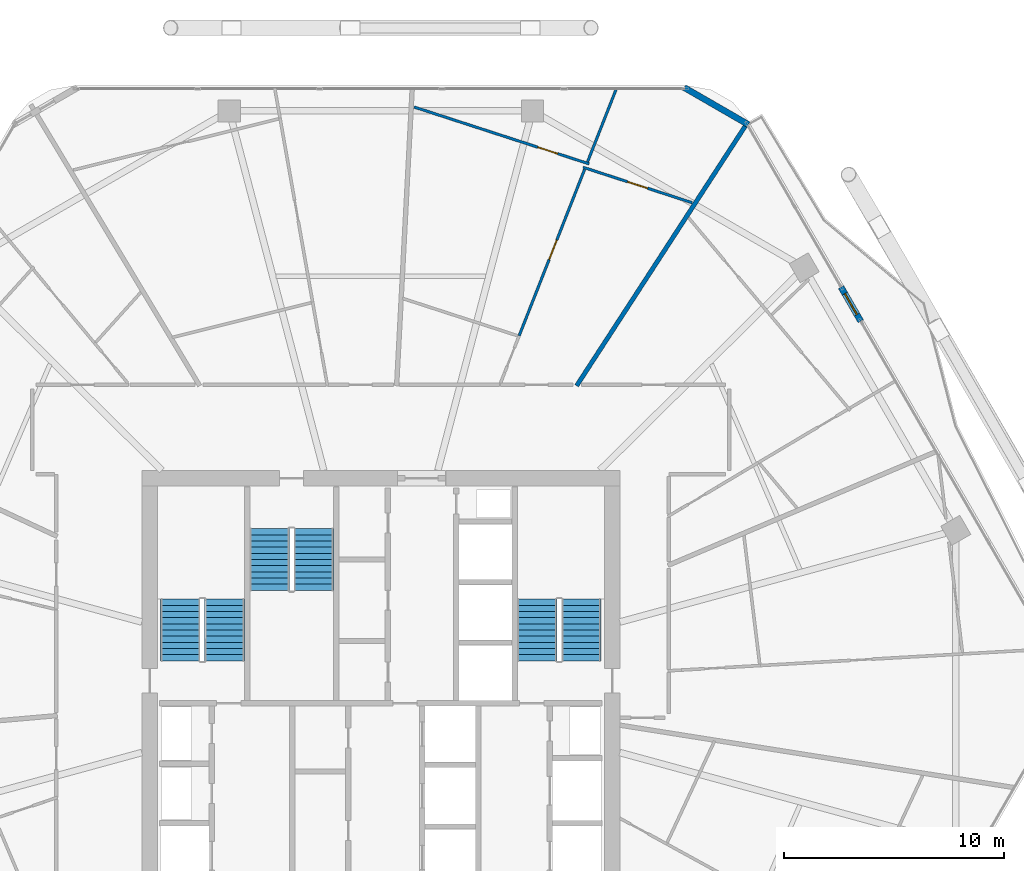
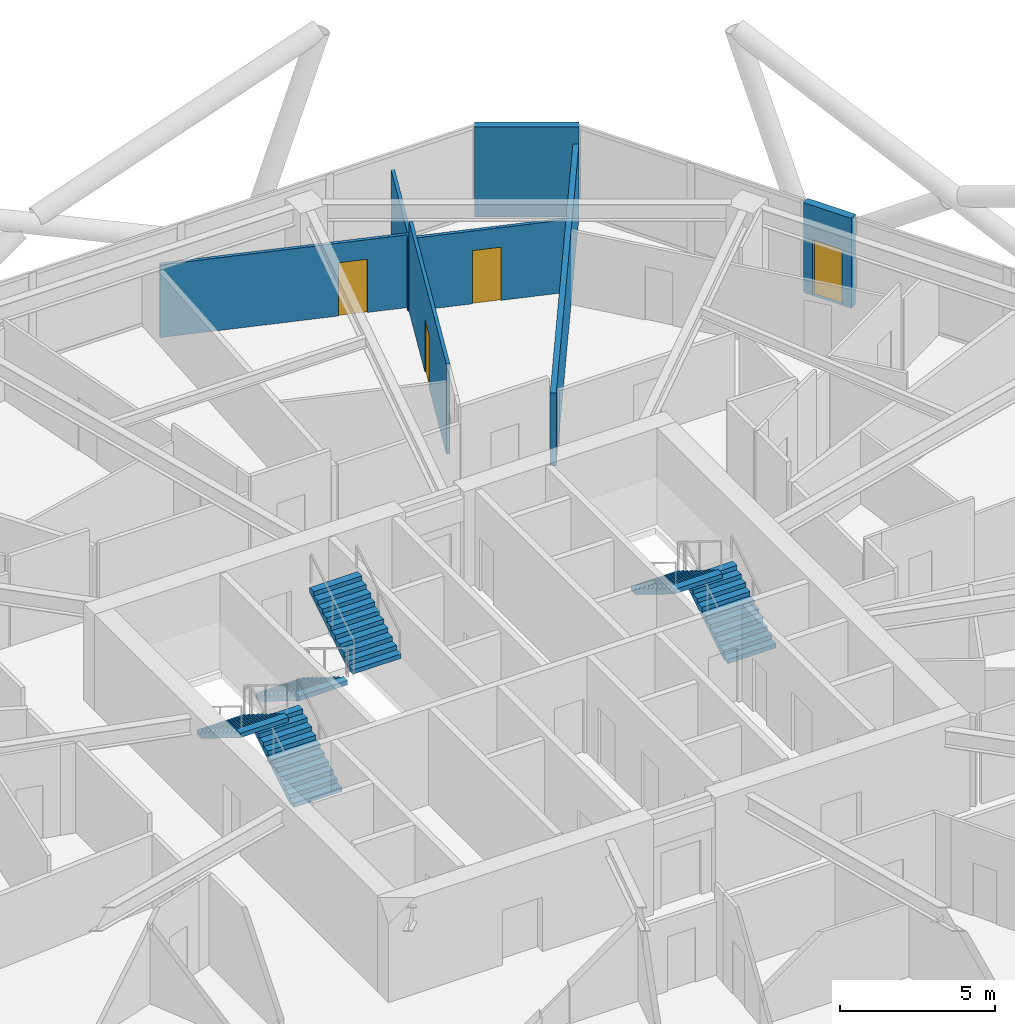
# One storey, part 25 of 28: 7 walls, 6 stair flights, 4 doors, 4 openings, 3 elements without a shape of their own.
"""IFC4 building model written with IfcOpenShell, lengths in metres."""

from ifc_helpers import new_model, si_unit, direction, frame, frame_2d, origin, place, context, subcontext, project, spatial, polyline, rectangle, outline, extrude, material, layer, layer_set, type_object, element, fill, aggregate, save


model = new_model("IFC4")

# Units and contexts
model_context = context("Model", 3, precision=1e-05, world=origin(), true_north=direction((0.0, 1.0)))
body_context = subcontext(model_context, "Body", "Model", "MODEL_VIEW")
ifc_project = project(units=[si_unit("LENGTHUNIT", "METRE"), si_unit("AREAUNIT", "SQUARE_METRE"), si_unit("VOLUMEUNIT", "CUBIC_METRE"), si_unit("PLANEANGLEUNIT", "RADIAN"), si_unit("MASSUNIT", "GRAM", prefix="KILO")], contexts=[model_context])

# Site, building, storey
site_placement = place(None, origin())
site = spatial("IfcSite", under=ifc_project, at=site_placement, CompositionType="ELEMENT")
building_placement = place(site_placement, origin())
building = spatial("IfcBuilding", under=site, at=building_placement, Name="Zuhravey Tower", CompositionType="ELEMENT")
storey_placement = place(building_placement, frame((0.0, 0.0, 169.39990234375)))
storey = spatial("IfcBuildingStorey", under=building, at=storey_placement, Name="L42", CompositionType="ELEMENT", Elevation=169.39990234375)

# Wall
ifc_material_1 = material(Name="Precast concrete C40/50", Category="concrete")
ifc_layer_1 = layer(ifc_material_1, 0.280029296875)
ifc_layer_set_1 = layer_set([ifc_layer_1], Name="Precast concrete C40/50")
wall_type_1 = type_object("IfcWallType", Name="Crown Architectural Wall 280", PredefinedType="SOLIDWALL", material=ifc_layer_set_1)
wall_1_placement = place(storey_placement, frame((49.77880859375, 59.230712890625, 0.0), z_axis=(0.0, 0.0, 1.0), x_axis=(0.866020068361, -0.500009241111, 0.0)))
element("IfcWall", 1, at=wall_1_placement, inside=storey, type_object=wall_type_1, Name="L42 Rounded Corner Closure Wall EW28-10", PredefinedType="SOLIDWALL", context=body_context, shape_type="SweptSolid", body=[
    extrude(rectangle(XDim=3.365234375, YDim=0.280029296875, at=frame_2d((1.6826171875, 0.0))), origin(), (0.0, 0.0, 1.0), 3.550048828125),
])

# Wall, opening, door
wall_2_placement = place(storey_placement, frame((56.8974609375, 50.1708984375, 0.0), z_axis=(0.0, 0.0, 1.0), x_axis=(0.499982180423, -0.866035691677, 0.0)))
wall_2 = element("IfcWall", 2, at=wall_2_placement, inside=storey, type_object=wall_type_1, Name="L42 Face 1 Facade Pier EW28-1", PredefinedType="SOLIDWALL", context=body_context, shape_type="SweptSolid", body=[
    extrude(rectangle(XDim=1.7900390625, YDim=0.280029296875, at=frame_2d((0.89501953125, 0.0))), origin(), (0.0, 0.0, 1.0), 3.550048828125),
])
opening_1_placement = place(wall_2_placement, frame((0.344970703125, 0.0, 0.0)))
opening_1 = element("IfcOpeningElement", 3, at=opening_1_placement, cuts=wall_2, Name="Opening BLD1", PredefinedType="OPENING", context=body_context, shape_type="SweptSolid", body=[
    extrude(rectangle(XDim=1.10009765625, YDim=2.199951171875, at=frame_2d((0.550048828125, 1.10009765625))), frame((0.0, 0.152099609375, 0.0), z_axis=(0.0, -1.0, 0.0), x_axis=(1.0, 0.0, 0.0)), (0.0, 0.0, 1.0), 0.303955078125),
])
ifc_material_2 = material(Name="Thermally broken aluminium and low-E glass", Category="aluminium")
door_type_1 = type_object("IfcDoorType", Name="Balcony & Sky-Tray Glazed Door 1100x2200", OperationType="NOTDEFINED", PredefinedType="DOOR", material=ifc_material_2)
door_1_placement = place(opening_1_placement, frame((1.10009765625, 0.0, 0.0), z_axis=(0.0, 0.0, 1.0), x_axis=(-1.0, 0.0, 0.0)))
door_1 = element("IfcDoor", 4, at=door_1_placement, inside=storey, type_object=door_type_1, Name="L42 Face 1 Wave Balcony Door", OperationType="SINGLE_SWING_RIGHT", OverallHeight=2.199951171875, OverallWidth=1.10009765625, PredefinedType="DOOR", context=body_context, shape_type="SweptSolid", body=[
    extrude(rectangle(XDim=1.10009765625, YDim=2.199951171875, at=frame_2d((0.550048828125, 1.10009765625))), frame((0.0, 0.02490234375, 0.0), z_axis=(0.0, -1.0, 0.0), x_axis=(1.0, 0.0, 0.0)), (0.0, 0.0, 1.0), 0.050048828125),
])
fill(opening_1, door_1)

# Wall
ifc_material_3 = material(Name="Gypsum double-stud party assembly")
ifc_layer_2 = layer(ifc_material_3, 0.199951171875)
ifc_layer_set_2 = layer_set([ifc_layer_2], Name="Gypsum double-stud party assembly")
wall_type_2 = type_object("IfcWallType", Name="Inter-Tenancy Party Wall 200", PredefinedType="PARTITIONING", material=ifc_layer_set_2)
wall_3_placement = place(storey_placement, frame((44.890380859375, 45.68994140625, 0.0), z_axis=(0.0, 0.0, 1.0), x_axis=(0.544635001308, 0.838673187452, 0.0)))
element("IfcWall", 5, at=wall_3_placement, inside=storey, type_object=wall_type_2, Name="L42 IW20 Partition 081", PredefinedType="PARTITIONING", context=body_context, shape_type="SweptSolid", body=[
    extrude(rectangle(XDim=14.184814453125, YDim=0.199951171875, at=frame_2d((7.09228515625, 0.0))), origin(), (0.0, 0.0, 1.0), 2.8701171875),
])

# Wall, opening, door
ifc_material_4 = material(Name="Gypsum metal-stud partition")
ifc_layer_3 = layer(ifc_material_4, 0.1201171875)
ifc_layer_set_3 = layer_set([ifc_layer_3], Name="Gypsum metal-stud partition")
wall_type_3 = type_object("IfcWallType", Name="Unit Internal Partition 120", PredefinedType="PARTITIONING", material=ifc_layer_set_3)
wall_4_placement = place(storey_placement, frame((50.135498046875, 54.001953125, 0.0), z_axis=(0.0, 0.0, 1.0), x_axis=(-0.951047506312, 0.309044722876, 0.0)))
wall_4 = element("IfcWall", 6, at=wall_4_placement, inside=storey, type_object=wall_type_3, Name="L42 IW12 Partition 024", PredefinedType="PARTITIONING", context=body_context, shape_type="SweptSolid", body=[
    extrude(rectangle(XDim=5.206787109375, YDim=0.1201171875, at=frame_2d((2.603515625, 0.0))), origin(), (0.0, 0.0, 1.0), 2.8701171875),
])
opening_2_placement = place(wall_4_placement, frame((2.12841796875, 0.0, 0.0)))
opening_2 = element("IfcOpeningElement", 7, at=opening_2_placement, cuts=wall_4, Name="Opening IND1", PredefinedType="OPENING", context=body_context, shape_type="SweptSolid", body=[
    extrude(rectangle(XDim=0.949951171875, YDim=2.10009765625, at=frame_2d((0.47509765625, 1.050048828125))), frame((0.0, 0.072021484375, 0.0), z_axis=(0.0, -1.0, 0.0), x_axis=(1.0, 0.0, 0.0)), (0.0, 0.0, 1.0), 0.14404296875),
])
ifc_material_5 = material(Name="Painted engineered timber leaf", Category="wood")
door_type_2 = type_object("IfcDoorType", Name="Internal Room & Bedroom Door 950x2100", OperationType="NOTDEFINED", PredefinedType="DOOR", material=ifc_material_5)
door_2_placement = place(opening_2_placement, frame((0.949951171875, 0.0, 0.0), z_axis=(0.0, 0.0, 1.0), x_axis=(-1.0, 0.0, 0.0)))
door_2 = element("IfcDoor", 8, at=door_2_placement, inside=storey, type_object=door_type_2, Name="Apartment L42-02 Family Study Door", OperationType="SINGLE_SWING_RIGHT", OverallHeight=2.10009765625, OverallWidth=0.949951171875, PredefinedType="DOOR", context=body_context, shape_type="SweptSolid", body=[
    extrude(rectangle(XDim=0.949951171875, YDim=2.10009765625, at=frame_2d((0.47509765625, 1.050048828125))), frame((0.0, 0.02490234375, 0.0), z_axis=(0.0, -1.0, 0.0), x_axis=(1.0, 0.0, 0.0)), (0.0, 0.0, 1.0), 0.050048828125),
])
fill(opening_2, door_2)

wall_5_placement = place(storey_placement, frame((42.281982421875, 47.96435546875, 0.0), z_axis=(0.0, 0.0, 1.0), x_axis=(0.366182812117, 0.930542931901, 0.0)))
wall_5 = element("IfcWall", 9, at=wall_5_placement, inside=storey, type_object=wall_type_3, Name="L42 IW12 Partition 026", PredefinedType="PARTITIONING", context=body_context, shape_type="SweptSolid", body=[
    extrude(rectangle(XDim=8.115966796875, YDim=0.1201171875, at=frame_2d((4.05810546875, 0.0))), origin(), (0.0, 0.0, 1.0), 3.550048828125),
])
opening_3_placement = place(wall_5_placement, frame((3.720703125, 0.0, 0.0)))
opening_3 = element("IfcOpeningElement", 10, at=opening_3_placement, cuts=wall_5, Name="Opening IND1", PredefinedType="OPENING", context=body_context, shape_type="SweptSolid", body=[
    extrude(rectangle(XDim=0.949951171875, YDim=2.10009765625, at=frame_2d((0.47509765625, 1.050048828125))), frame((0.0, 0.072021484375, 0.0), z_axis=(0.0, -1.0, 0.0), x_axis=(1.0, 0.0, 0.0)), (0.0, 0.0, 1.0), 0.14404296875),
])
door_3_placement = place(opening_3_placement, origin())
door_3 = element("IfcDoor", 11, at=door_3_placement, inside=storey, type_object=door_type_2, Name="Apartment L42-02 Home Office Door", OperationType="SINGLE_SWING_RIGHT", OverallHeight=2.10009765625, OverallWidth=0.949951171875, PredefinedType="DOOR", context=body_context, shape_type="SweptSolid", body=[
    extrude(rectangle(XDim=0.949951171875, YDim=2.10009765625, at=frame_2d((0.47509765625, 1.050048828125))), frame((0.0, 0.02490234375, 0.0), z_axis=(0.0, -1.0, 0.0), x_axis=(1.0, 0.0, 0.0)), (0.0, 0.0, 1.0), 0.050048828125),
])
fill(opening_3, door_3)

wall_6_placement = place(storey_placement, frame((45.45947265625, 55.765625, 0.0), z_axis=(0.0, 0.0, 1.0), x_axis=(-0.9510658366, 0.308988307953, 0.0)))
wall_6 = element("IfcWall", 12, at=wall_6_placement, inside=storey, type_object=wall_type_3, Name="L42 IW12 Partition 027", PredefinedType="PARTITIONING", context=body_context, shape_type="SweptSolid", body=[
    extrude(rectangle(XDim=8.357177734375, YDim=0.1201171875, at=frame_2d((4.1787109375, 0.0))), origin(), (0.0, 0.0, 1.0), 2.8701171875),
])
opening_4_placement = place(wall_6_placement, frame((1.50341796875, 0.0, 0.0)))
opening_4 = element("IfcOpeningElement", 13, at=opening_4_placement, cuts=wall_6, Name="Opening IND1", PredefinedType="OPENING", context=body_context, shape_type="SweptSolid", body=[
    extrude(rectangle(XDim=0.949951171875, YDim=2.10009765625, at=frame_2d((0.47509765625, 1.050048828125))), frame((0.0, 0.072021484375, 0.0), z_axis=(0.0, -1.0, 0.0), x_axis=(1.0, 0.0, 0.0)), (0.0, 0.0, 1.0), 0.14404296875),
])
door_4_placement = place(opening_4_placement, frame((0.949951171875, 0.0, 0.0), z_axis=(0.0, 0.0, 1.0), x_axis=(-1.0, 0.0, 0.0)))
door_4 = element("IfcDoor", 14, at=door_4_placement, inside=storey, type_object=door_type_2, Name="Apartment L42-02 Kitchen Door", OperationType="SINGLE_SWING_LEFT", OverallHeight=2.10009765625, OverallWidth=0.949951171875, PredefinedType="DOOR", context=body_context, shape_type="SweptSolid", body=[
    extrude(rectangle(XDim=0.949951171875, YDim=2.10009765625, at=frame_2d((0.47509765625, 1.050048828125))), frame((0.0, 0.02490234375, 0.0), z_axis=(0.0, -1.0, 0.0), x_axis=(1.0, 0.0, 0.0)), (0.0, 0.0, 1.0), 0.050048828125),
])
fill(opening_4, door_4)

# Wall
wall_7_placement = place(storey_placement, frame((45.388916015625, 55.860107421875, 0.0), z_axis=(0.0, 0.0, 1.0), x_axis=(0.366227083172, 0.93052550935, 0.0)))
element("IfcWall", 15, at=wall_7_placement, inside=storey, type_object=wall_type_3, Name="L42 IW12 Partition 083", PredefinedType="PARTITIONING", context=body_context, shape_type="SweptSolid", body=[
    extrude(rectangle(XDim=3.574462890625, YDim=0.1201171875, at=frame_2d((1.787109375, 0.0))), origin(), (0.0, 0.0, 1.0), 2.8701171875),
])

# Stair, stair flights
ifc_material_6 = material(Name="Concrete C40/50", Category="concrete")
stair_type = type_object("IfcStairType", Name="Housing Storey Stair Assembly 3800", PredefinedType="HALF_TURN_STAIR", material=ifc_material_6)
stair_1_placement = place(storey_placement, origin())
stair_1 = element("IfcStair", 16, at=stair_1_placement, inside=storey, type_object=stair_type, Name="L42 Core Exit Stair ST1", PredefinedType="HALF_TURN_STAIR")
stair_flight_type = type_object("IfcStairFlightType", Name="Housing Storey Stair Flight 3800", PredefinedType="STRAIGHT", material=ifc_material_6)
stair_flight_1_placement = place(storey_placement, frame((28.89990234375, 33.199951171875, 0.0), z_axis=(0.0, 0.0, 1.0), x_axis=(0.0, 1.0, 0.0)))
stair_flight_1 = element("IfcStairFlight", 17, at=stair_flight_1_placement, type_object=stair_flight_type, Name="ST1 flight 1", NumberOfRisers=11, NumberOfTreads=10, PredefinedType="STRAIGHT", RiserHeight=0.172727273, TreadLength=0.28, context=body_context, shape_type="SweptSolid", body=[
    extrude(outline(polyline([(0.0, 0.0), (0.0, 0.172607421875), (0.280029296875, 0.172607421875), (0.280029296875, 0.345458984375), (0.56005859375, 0.345458984375), (0.56005859375, 0.51806640625), (0.840087890625, 0.51806640625), (0.840087890625, 0.69091796875), (1.1201171875, 0.69091796875), (1.1201171875, 0.863525390625), (1.39990234375, 0.863525390625), (1.39990234375, 1.036376953125), (1.679931640625, 1.036376953125), (1.679931640625, 1.208984375), (1.9599609375, 1.208984375), (1.9599609375, 1.3818359375), (2.239990234375, 1.3818359375), (2.239990234375, 1.554443359375), (2.52001953125, 1.554443359375), (2.52001953125, 1.727294921875), (2.800048828125, 1.727294921875), (2.800048828125, 1.89990234375), (2.800048828125, 1.551025390625), (0.285400390625, 0.0), (0.0, 0.0)])), frame((0.0, 0.89990234375, 0.0), z_axis=(0.0, -1.0, 0.0), x_axis=(1.0, 0.0, 0.0)), (0.0, 0.0, 1.0), 1.800048828125),
])
stair_flight_2_placement = place(storey_placement, frame((26.89990234375, 36.0, 1.900146484375), z_axis=(0.0, 0.0, 1.0), x_axis=(0.0, -1.0, 0.0)))
stair_flight_2 = element("IfcStairFlight", 18, at=stair_flight_2_placement, type_object=stair_flight_type, Name="ST1 flight 2", NumberOfRisers=11, NumberOfTreads=10, PredefinedType="STRAIGHT", RiserHeight=0.172727273, TreadLength=0.28, context=body_context, shape_type="SweptSolid", body=[
    extrude(outline(polyline([(0.0, 0.0), (0.0, 0.172607421875), (0.280029296875, 0.172607421875), (0.280029296875, 0.345458984375), (0.56005859375, 0.345458984375), (0.56005859375, 0.51806640625), (0.840087890625, 0.51806640625), (0.840087890625, 0.69091796875), (1.1201171875, 0.69091796875), (1.1201171875, 0.863525390625), (1.39990234375, 0.863525390625), (1.39990234375, 1.036376953125), (1.679931640625, 1.036376953125), (1.679931640625, 1.208984375), (1.9599609375, 1.208984375), (1.9599609375, 1.3818359375), (2.239990234375, 1.3818359375), (2.239990234375, 1.554443359375), (2.52001953125, 1.554443359375), (2.52001953125, 1.727294921875), (2.800048828125, 1.727294921875), (2.800048828125, 1.89990234375), (2.800048828125, 1.551025390625), (0.285400390625, 0.0), (0.0, 0.0)])), frame((0.0, 0.89990234375, 0.0), z_axis=(0.0, -1.0, 0.0), x_axis=(1.0, 0.0, 0.0)), (0.0, 0.0, 1.0), 1.800048828125),
])
aggregate(stair_1, [stair_flight_1, stair_flight_2])

stair_2_placement = place(storey_placement, origin())
stair_2 = element("IfcStair", 19, at=stair_2_placement, inside=storey, type_object=stair_type, Name="L42 Core Exit Stair ST2", PredefinedType="HALF_TURN_STAIR")
stair_flight_3_placement = place(storey_placement, frame((45.10009765625, 33.199951171875, 0.0), z_axis=(0.0, 0.0, 1.0), x_axis=(0.0, 1.0, 0.0)))
stair_flight_3 = element("IfcStairFlight", 20, at=stair_flight_3_placement, type_object=stair_flight_type, Name="ST2 flight 1", NumberOfRisers=11, NumberOfTreads=10, PredefinedType="STRAIGHT", RiserHeight=0.172727273, TreadLength=0.28, context=body_context, shape_type="SweptSolid", body=[
    extrude(outline(polyline([(0.0, 0.0), (0.0, 0.172607421875), (0.280029296875, 0.172607421875), (0.280029296875, 0.345458984375), (0.56005859375, 0.345458984375), (0.56005859375, 0.51806640625), (0.840087890625, 0.51806640625), (0.840087890625, 0.69091796875), (1.1201171875, 0.69091796875), (1.1201171875, 0.863525390625), (1.39990234375, 0.863525390625), (1.39990234375, 1.036376953125), (1.679931640625, 1.036376953125), (1.679931640625, 1.208984375), (1.9599609375, 1.208984375), (1.9599609375, 1.3818359375), (2.239990234375, 1.3818359375), (2.239990234375, 1.554443359375), (2.52001953125, 1.554443359375), (2.52001953125, 1.727294921875), (2.800048828125, 1.727294921875), (2.800048828125, 1.89990234375), (2.800048828125, 1.551025390625), (0.285400390625, 0.0), (0.0, 0.0)])), frame((0.0, 0.89990234375, 0.0), z_axis=(0.0, -1.0, 0.0), x_axis=(1.0, 0.0, 0.0)), (0.0, 0.0, 1.0), 1.800048828125),
])
stair_flight_4_placement = place(storey_placement, frame((43.10009765625, 36.0, 1.900146484375), z_axis=(0.0, 0.0, 1.0), x_axis=(0.0, -1.0, 0.0)))
stair_flight_4 = element("IfcStairFlight", 21, at=stair_flight_4_placement, type_object=stair_flight_type, Name="ST2 flight 2", NumberOfRisers=11, NumberOfTreads=10, PredefinedType="STRAIGHT", RiserHeight=0.172727273, TreadLength=0.28, context=body_context, shape_type="SweptSolid", body=[
    extrude(outline(polyline([(0.0, 0.0), (0.0, 0.172607421875), (0.280029296875, 0.172607421875), (0.280029296875, 0.345458984375), (0.56005859375, 0.345458984375), (0.56005859375, 0.51806640625), (0.840087890625, 0.51806640625), (0.840087890625, 0.69091796875), (1.1201171875, 0.69091796875), (1.1201171875, 0.863525390625), (1.39990234375, 0.863525390625), (1.39990234375, 1.036376953125), (1.679931640625, 1.036376953125), (1.679931640625, 1.208984375), (1.9599609375, 1.208984375), (1.9599609375, 1.3818359375), (2.239990234375, 1.3818359375), (2.239990234375, 1.554443359375), (2.52001953125, 1.554443359375), (2.52001953125, 1.727294921875), (2.800048828125, 1.727294921875), (2.800048828125, 1.89990234375), (2.800048828125, 1.551025390625), (0.285400390625, 0.0), (0.0, 0.0)])), frame((0.0, 0.89990234375, 0.0), z_axis=(0.0, -1.0, 0.0), x_axis=(1.0, 0.0, 0.0)), (0.0, 0.0, 1.0), 1.800048828125),
])
aggregate(stair_2, [stair_flight_3, stair_flight_4])

stair_3_placement = place(storey_placement, origin())
stair_3 = element("IfcStair", 22, at=stair_3_placement, inside=storey, type_object=stair_type, Name="L42 Core Exit Stair ST3", PredefinedType="HALF_TURN_STAIR")
stair_flight_5_placement = place(storey_placement, frame((30.949951171875, 39.199951171875, 0.0), z_axis=(0.0, 0.0, 1.0), x_axis=(0.0, -1.0, 0.0)))
stair_flight_5 = element("IfcStairFlight", 23, at=stair_flight_5_placement, type_object=stair_flight_type, Name="ST3 flight 1", NumberOfRisers=11, NumberOfTreads=10, PredefinedType="STRAIGHT", RiserHeight=0.172727273, TreadLength=0.28, context=body_context, shape_type="SweptSolid", body=[
    extrude(outline(polyline([(0.0, 0.0), (0.0, 0.172607421875), (0.280029296875, 0.172607421875), (0.280029296875, 0.345458984375), (0.56005859375, 0.345458984375), (0.56005859375, 0.51806640625), (0.840087890625, 0.51806640625), (0.840087890625, 0.69091796875), (1.1201171875, 0.69091796875), (1.1201171875, 0.863525390625), (1.39990234375, 0.863525390625), (1.39990234375, 1.036376953125), (1.679931640625, 1.036376953125), (1.679931640625, 1.208984375), (1.9599609375, 1.208984375), (1.9599609375, 1.3818359375), (2.239990234375, 1.3818359375), (2.239990234375, 1.554443359375), (2.52001953125, 1.554443359375), (2.52001953125, 1.727294921875), (2.800048828125, 1.727294921875), (2.800048828125, 1.89990234375), (2.800048828125, 1.551025390625), (0.285400390625, 0.0), (0.0, 0.0)])), frame((0.0, 0.89990234375, 0.0), z_axis=(0.0, -1.0, 0.0), x_axis=(1.0, 0.0, 0.0)), (0.0, 0.0, 1.0), 1.800048828125),
])
stair_flight_6_placement = place(storey_placement, frame((32.949951171875, 36.39990234375, 1.900146484375), z_axis=(0.0, 0.0, 1.0), x_axis=(0.0, 1.0, 0.0)))
stair_flight_6 = element("IfcStairFlight", 24, at=stair_flight_6_placement, type_object=stair_flight_type, Name="ST3 flight 2", NumberOfRisers=11, NumberOfTreads=10, PredefinedType="STRAIGHT", RiserHeight=0.172727273, TreadLength=0.28, context=body_context, shape_type="SweptSolid", body=[
    extrude(outline(polyline([(0.0, 0.0), (0.0, 0.172607421875), (0.280029296875, 0.172607421875), (0.280029296875, 0.345458984375), (0.56005859375, 0.345458984375), (0.56005859375, 0.51806640625), (0.840087890625, 0.51806640625), (0.840087890625, 0.69091796875), (1.1201171875, 0.69091796875), (1.1201171875, 0.863525390625), (1.39990234375, 0.863525390625), (1.39990234375, 1.036376953125), (1.679931640625, 1.036376953125), (1.679931640625, 1.208984375), (1.9599609375, 1.208984375), (1.9599609375, 1.3818359375), (2.239990234375, 1.3818359375), (2.239990234375, 1.554443359375), (2.52001953125, 1.554443359375), (2.52001953125, 1.727294921875), (2.800048828125, 1.727294921875), (2.800048828125, 1.89990234375), (2.800048828125, 1.551025390625), (0.285400390625, 0.0), (0.0, 0.0)])), frame((0.0, 0.89990234375, 0.0), z_axis=(0.0, -1.0, 0.0), x_axis=(1.0, 0.0, 0.0)), (0.0, 0.0, 1.0), 1.800048828125),
])
aggregate(stair_3, [stair_flight_5, stair_flight_6])

save(model, "model.ifc")
